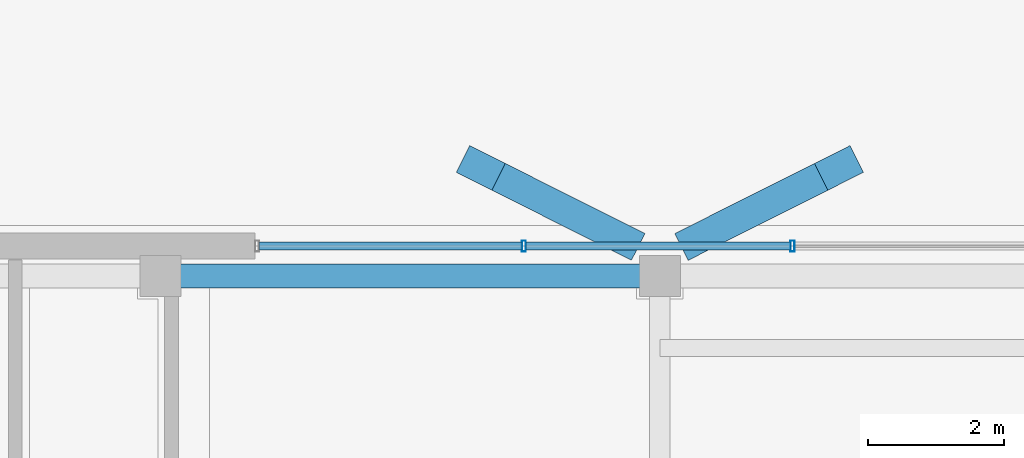
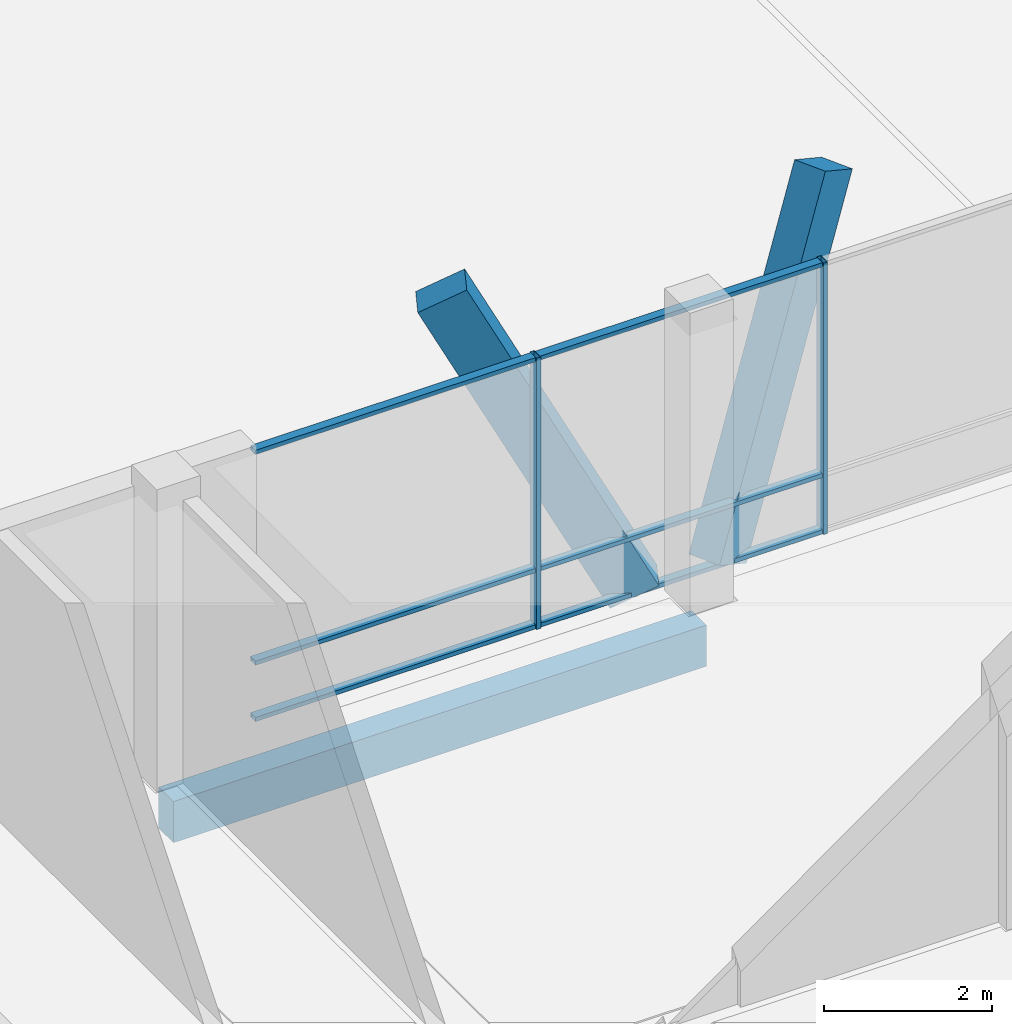
# One storey, part 43 of 233: 10 members, 1 beam, 1 element without a shape of its own.
"""IFC4 building model written with IfcOpenShell, lengths in metres."""

from ifc_helpers import new_model, si_unit, direction, frame, origin, origin_2d, place, context, subcontext, project, spatial, rectangle, hollow_rectangle, extrude, material, material_profile, profile_set, type_object, element, aggregate, save


model = new_model("IFC4")

# Units and contexts
model_context = context("Model", 3, precision=1e-05, world=origin(), true_north=direction((0.0, 1.0)))
body_context = subcontext(model_context, "Body", "Model", "MODEL_VIEW")
ifc_project = project(units=[si_unit("LENGTHUNIT", "METRE"), si_unit("AREAUNIT", "SQUARE_METRE"), si_unit("VOLUMEUNIT", "CUBIC_METRE"), si_unit("PLANEANGLEUNIT", "RADIAN"), si_unit("MASSUNIT", "GRAM", prefix="KILO")], contexts=[model_context])

# Site, building, storey
site_placement = place(None, origin())
site = spatial("IfcSite", under=ifc_project, at=site_placement, CompositionType="ELEMENT")
building_placement = place(site_placement, origin())
building = spatial("IfcBuilding", under=site, at=building_placement, Name="Zavelmont Quarter", CompositionType="ELEMENT")
storey_placement = place(building_placement, origin())
storey = spatial("IfcBuildingStorey", under=building, at=storey_placement, Name="L00", CompositionType="ELEMENT", Elevation=0.0)

# Beam
ifc_material_1 = material(Name="Concrete C35/45", Category="concrete")
ifc_material_profile_1 = material_profile(ifc_material_1, rectangle(XDim=0.35009765625, YDim=0.60009765625, at=origin_2d()), Name="RC350X600")
ifc_profile_set_1 = profile_set([ifc_material_profile_1], Name="Concrete C35/45")
beam_type = type_object("IfcBeamType", Name="BM01", PredefinedType="SPANDREL", material=ifc_profile_set_1)
beam_placement = place(storey_placement, frame((40.9599609375, 17.9599609375, -0.6201171875), z_axis=(1.0, 0.0, 0.0), x_axis=(0.0, 1.0, 0.0)))
element("IfcBeam", 1, at=beam_placement, inside=storey, type_object=beam_type, Name="L00 beam BM01 7/D to 8/D", PredefinedType="SPANDREL", context=body_context, shape_type="SweptSolid", body=[
    extrude(rectangle(XDim=0.35009765625, YDim=0.60009765625, at=origin_2d()), origin(), (0.0, 0.0, 1.0), 7.340087890625),
])

# Curtain wall, members
ifc_material_2 = material(Name="Thermally broken aluminium and double low-E safety glazing", Category="aluminium")
curtain_wall_type = type_object("IfcCurtainWallType", Name="CW-1185X395", PredefinedType="NOTDEFINED", material=ifc_material_2)
curtain_wall_placement = place(storey_placement, origin())
curtain_wall = element("IfcCurtainWall", 2, at=curtain_wall_placement, inside=storey, type_object=curtain_wall_type, Name="L00 unitised curtain wall CW-1185X395", PredefinedType="NOTDEFINED")
ifc_material_3 = material(Name="Powder-coated aluminium EN AW-6063-T6", Category="aluminium")
ifc_material_profile_2 = material_profile(ifc_material_3, hollow_rectangle(XDim=0.06005859375, YDim=0.159912109375, WallThickness=0.00390625, at=origin_2d()), Name="CWM60X160")
ifc_profile_set_2 = profile_set([ifc_material_profile_2], Name="Powder-coated aluminium EN AW-6063-T6")
member_type_1 = type_object("IfcMemberType", Name="CWM01", PredefinedType="MULLION", material=ifc_profile_set_2)
member_1_placement = place(storey_placement, frame((46.300048828125, 18.39990234375, 0.0), z_axis=(0.0, 0.0, 1.0), x_axis=(1.0, 0.0, 0.0)))
member_1 = element("IfcMember", 3, at=member_1_placement, type_object=member_type_1, Name="CW-1185X395 mullion 2", PredefinedType="MULLION", context=body_context, shape_type="SweptSolid", body=[
    extrude(hollow_rectangle(XDim=0.06005859375, YDim=0.159912109375, WallThickness=0.00390625, at=origin_2d()), origin(), (0.0, 0.0, 1.0), 3.949951171875),
])
member_2_placement = place(storey_placement, frame((50.25, 18.39990234375, 0.0), z_axis=(0.0, 0.0, 1.0), x_axis=(1.0, 0.0, 0.0)))
member_2 = element("IfcMember", 4, at=member_2_placement, type_object=member_type_1, Name="CW-1185X395 mullion 3", PredefinedType="MULLION", context=body_context, shape_type="SweptSolid", body=[
    extrude(hollow_rectangle(XDim=0.06005859375, YDim=0.159912109375, WallThickness=0.00390625, at=origin_2d()), origin(), (0.0, 0.0, 1.0), 3.949951171875),
])
ifc_material_profile_3 = material_profile(ifc_material_3, hollow_rectangle(XDim=0.1201171875, YDim=0.06005859375, WallThickness=0.00390625, at=origin_2d()), Name="CWT60X120")
ifc_profile_set_3 = profile_set([ifc_material_profile_3], Name="Powder-coated aluminium EN AW-6063-T6")
member_type_2 = type_object("IfcMemberType", Name="CWT01", PredefinedType="NOTDEFINED", material=ifc_profile_set_3)
member_3_placement = place(storey_placement, frame((42.409912109375, 18.39990234375, 0.030029296875), z_axis=(1.0, 0.0, 0.0), x_axis=(0.0, 1.0, 0.0)))
member_3 = element("IfcMember", 5, at=member_3_placement, type_object=member_type_2, Name="CW-1185X395 transom 1.1", ObjectType="TRANSOM", PredefinedType="USERDEFINED", context=body_context, shape_type="SweptSolid", body=[
    extrude(hollow_rectangle(XDim=0.1201171875, YDim=0.06005859375, WallThickness=0.00390625, at=origin_2d()), origin(), (0.0, 0.0, 1.0), 3.860107421875),
])
member_4_placement = place(storey_placement, frame((42.409912109375, 18.39990234375, 0.85009765625), z_axis=(1.0, 0.0, 0.0), x_axis=(0.0, 1.0, 0.0)))
member_4 = element("IfcMember", 6, at=member_4_placement, type_object=member_type_2, Name="CW-1185X395 transom 1.2", ObjectType="TRANSOM", PredefinedType="USERDEFINED", context=body_context, shape_type="SweptSolid", body=[
    extrude(hollow_rectangle(XDim=0.1201171875, YDim=0.06005859375, WallThickness=0.00390625, at=origin_2d()), origin(), (0.0, 0.0, 1.0), 3.860107421875),
])
member_5_placement = place(storey_placement, frame((42.409912109375, 18.39990234375, 3.919921875), z_axis=(1.0, 0.0, 0.0), x_axis=(0.0, 1.0, 0.0)))
member_5 = element("IfcMember", 7, at=member_5_placement, type_object=member_type_2, Name="CW-1185X395 transom 1.3", ObjectType="TRANSOM", PredefinedType="USERDEFINED", context=body_context, shape_type="SweptSolid", body=[
    extrude(hollow_rectangle(XDim=0.1201171875, YDim=0.06005859375, WallThickness=0.00390625, at=origin_2d()), origin(), (0.0, 0.0, 1.0), 3.860107421875),
])
member_6_placement = place(storey_placement, frame((46.330078125, 18.39990234375, 0.030029296875), z_axis=(1.0, 0.0, 0.0), x_axis=(0.0, 1.0, 0.0)))
member_6 = element("IfcMember", 8, at=member_6_placement, type_object=member_type_2, Name="CW-1185X395 transom 2.1", ObjectType="TRANSOM", PredefinedType="USERDEFINED", context=body_context, shape_type="SweptSolid", body=[
    extrude(hollow_rectangle(XDim=0.1201171875, YDim=0.06005859375, WallThickness=0.00390625, at=origin_2d()), origin(), (0.0, 0.0, 1.0), 3.889892578125),
])
member_7_placement = place(storey_placement, frame((46.330078125, 18.39990234375, 0.85009765625), z_axis=(1.0, 0.0, 0.0), x_axis=(0.0, 1.0, 0.0)))
member_7 = element("IfcMember", 9, at=member_7_placement, type_object=member_type_2, Name="CW-1185X395 transom 2.2", ObjectType="TRANSOM", PredefinedType="USERDEFINED", context=body_context, shape_type="SweptSolid", body=[
    extrude(hollow_rectangle(XDim=0.1201171875, YDim=0.06005859375, WallThickness=0.00390625, at=origin_2d()), origin(), (0.0, 0.0, 1.0), 3.889892578125),
])
member_8_placement = place(storey_placement, frame((46.330078125, 18.39990234375, 3.919921875), z_axis=(1.0, 0.0, 0.0), x_axis=(0.0, 1.0, 0.0)))
member_8 = element("IfcMember", 10, at=member_8_placement, type_object=member_type_2, Name="CW-1185X395 transom 2.3", ObjectType="TRANSOM", PredefinedType="USERDEFINED", context=body_context, shape_type="SweptSolid", body=[
    extrude(hollow_rectangle(XDim=0.1201171875, YDim=0.06005859375, WallThickness=0.00390625, at=origin_2d()), origin(), (0.0, 0.0, 1.0), 3.889892578125),
])
aggregate(curtain_wall, [member_1, member_2, member_3, member_4, member_5, member_6, member_7, member_8])

# Members
ifc_material_4 = material(Name="White architectural precast concrete C40/50", Category="concrete")
ifc_material_profile_4 = material_profile(ifc_material_4, rectangle(XDim=0.43994140625, YDim=0.659912109375, at=origin_2d()), Name="PCR320X480")
ifc_profile_set_4 = profile_set([ifc_material_profile_4], Name="White architectural precast concrete C40/50")
member_type_3 = type_object("IfcMemberType", Name="VR01M", PredefinedType="CHORD", material=ifc_profile_set_4)
for number, where, z_axis, x_axis, name in (
    (11, (47.719970703125, 18.52001953125, 0.0), (-0.41354622227, 0.207535566999, 0.8865148112), (-0.448531381655, -0.893767083568, 0.0), "L00 member VR01M 8/D to 8/D"),
    (12, (48.8798828125, 18.52001953125, 0.0), (0.41358699911, 0.207531345058, 0.886496776636), (-0.448488766465, 0.893788468461, 0.0), "L00 member VR01M 8/D to 8/D"),
):
    element("IfcMember", number, at=place(storey_placement, frame(where, z_axis=z_axis, x_axis=x_axis)), inside=storey, type_object=member_type_3, Name=name, PredefinedType="CHORD", context=body_context, shape_type="SweptSolid", body=[
        extrude(rectangle(XDim=0.43994140625, YDim=0.659912109375, at=origin_2d()), origin(), (0.0, 0.0, 1.0), 4.963134765625),
    ])

save(model, "model.ifc")
